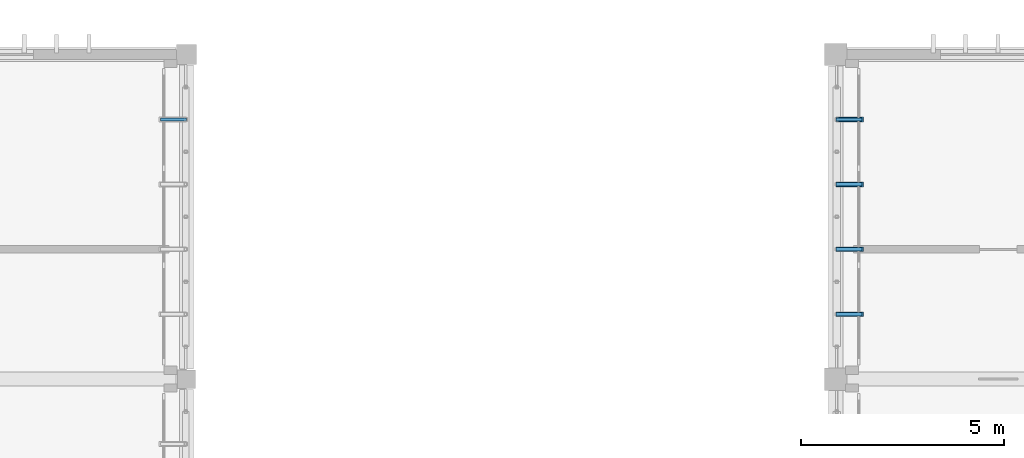
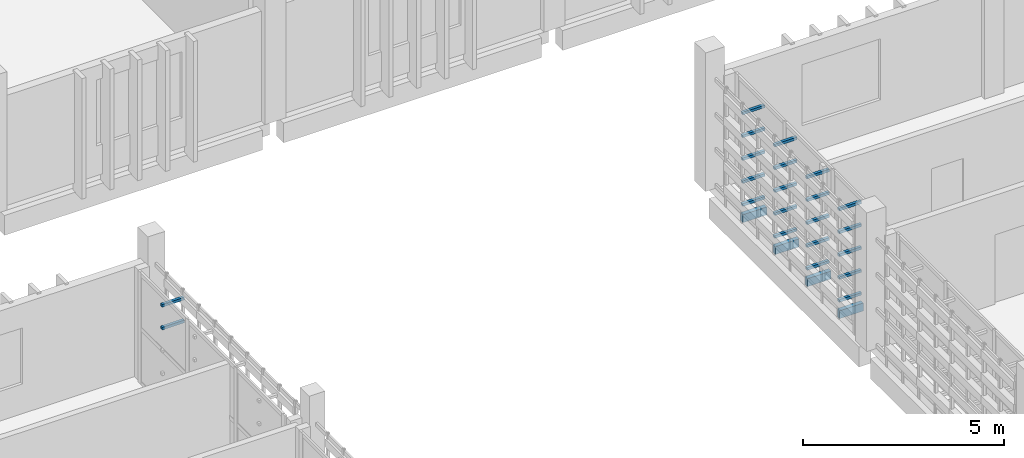
# One storey, part 42 of 48: 26 discrete accessories.
"""IFC4 building model written with IfcOpenShell, lengths in metres."""

from ifc_helpers import new_model, si_unit, direction, frame, origin, origin_2d, place, context, subcontext, project, spatial, rectangle, extrude, material, type_object, element, save


model = new_model("IFC4")

# Units and contexts
model_context = context("Model", 3, precision=1e-05, world=origin(), true_north=direction((0.0, 1.0)))
body_context = subcontext(model_context, "Body", "Model", "MODEL_VIEW")
ifc_project = project(units=[si_unit("LENGTHUNIT", "METRE"), si_unit("AREAUNIT", "SQUARE_METRE"), si_unit("VOLUMEUNIT", "CUBIC_METRE"), si_unit("PLANEANGLEUNIT", "RADIAN"), si_unit("MASSUNIT", "GRAM", prefix="KILO")], contexts=[model_context])

# Site, building, storey
site_placement = place(None, origin())
site = spatial("IfcSite", under=ifc_project, at=site_placement, CompositionType="ELEMENT")
building_placement = place(site_placement, origin())
building = spatial("IfcBuilding", under=site, at=building_placement, Name="Jelvoka-Kovrelna Polytechnic", CompositionType="ELEMENT")
storey_placement = place(building_placement, frame((0.0, 0.0, 22.199951171875)))
storey = spatial("IfcBuildingStorey", under=building, at=storey_placement, Name="L06", CompositionType="ELEMENT", Elevation=22.199951171875)

# Discrete accessories
ifc_material = material(Name="Structural steel S355JR", Category="steel")
discrete_accessory_type = type_object("IfcDiscreteAccessoryType", Name="Bracket_Outrigger_S355", PredefinedType="BRACKET", material=ifc_material)
for number, where, z_axis, x_axis, name in (
    (1, (111.679931640625, 46.39990234375, 2.357421875), (0.0, 0.0, 1.0), (1.0, 0.0, 0.0), "L06 screen outrigger tie bracket BRKM-PLT-SCR-0419"),
    (2, (111.679931640625, 46.39990234375, 3.050048828125), (0.0, 0.0, 1.0), (1.0, 0.0, 0.0), "L06 screen outrigger tie bracket BRKM-PLT-SCR-0420"),
    (3, (128.320068359375, 41.60009765625, 0.280029296875), (0.0, 0.0, 1.0), (1.0, 0.0, 0.0), "L06 screen outrigger tie bracket BRKM-PLT-SCR-0841"),
):
    element("IfcDiscreteAccessory", number, at=place(storey_placement, frame(where, z_axis=z_axis, x_axis=x_axis)), inside=storey, type_object=discrete_accessory_type, Name=name, PredefinedType="BRACKET", context=body_context, shape_type="SweptSolid", body=[
        extrude(rectangle(XDim=0.639892578125, YDim=0.080078125, at=origin_2d()), origin(), (0.0, 0.0, 1.0), 0.080078125),
    ])
discrete_accessory_1_placement = place(storey_placement, frame((128.340087890625, 41.60009765625, -0.199951171875), z_axis=(0.0, 0.0, 1.0), x_axis=(1.0, 0.0, 0.0)))
element("IfcDiscreteAccessory", 4, at=discrete_accessory_1_placement, inside=storey, type_object=discrete_accessory_type, Name="L06 screen outrigger tie bracket BRK-PLT-SCR-0841", PredefinedType="BRACKET", context=body_context, shape_type="SweptSolid", body=[
    extrude(rectangle(XDim=0.679931640625, YDim=0.1201171875, at=origin_2d()), origin(), (0.0, 0.0, 1.0), 0.239990234375),
])
for number, where, z_axis, x_axis, name in (
    (5, (128.320068359375, 41.60009765625, 0.972412109375), (0.0, 0.0, 1.0), (1.0, 0.0, 0.0), "L06 screen outrigger tie bracket BRKM-PLT-SCR-0842"),
    (6, (128.320068359375, 41.60009765625, 1.6650390625), (0.0, 0.0, 1.0), (1.0, 0.0, 0.0), "L06 screen outrigger tie bracket BRKM-PLT-SCR-0843"),
    (7, (128.320068359375, 41.60009765625, 2.357421875), (0.0, 0.0, 1.0), (1.0, 0.0, 0.0), "L06 screen outrigger tie bracket BRKM-PLT-SCR-0844"),
    (8, (128.320068359375, 41.60009765625, 3.050048828125), (0.0, 0.0, 1.0), (1.0, 0.0, 0.0), "L06 screen outrigger tie bracket BRKM-PLT-SCR-0845"),
    (9, (128.320068359375, 43.199951171875, 0.280029296875), (0.0, 0.0, 1.0), (1.0, 0.0, 0.0), "L06 screen outrigger tie bracket BRKM-PLT-SCR-0846"),
):
    element("IfcDiscreteAccessory", number, at=place(storey_placement, frame(where, z_axis=z_axis, x_axis=x_axis)), inside=storey, type_object=discrete_accessory_type, Name=name, PredefinedType="BRACKET", context=body_context, shape_type="SweptSolid", body=[
        extrude(rectangle(XDim=0.639892578125, YDim=0.080078125, at=origin_2d()), origin(), (0.0, 0.0, 1.0), 0.080078125),
    ])
discrete_accessory_2_placement = place(storey_placement, frame((128.340087890625, 43.199951171875, -0.199951171875), z_axis=(0.0, 0.0, 1.0), x_axis=(1.0, 0.0, 0.0)))
element("IfcDiscreteAccessory", 10, at=discrete_accessory_2_placement, inside=storey, type_object=discrete_accessory_type, Name="L06 screen outrigger tie bracket BRK-PLT-SCR-0846", PredefinedType="BRACKET", context=body_context, shape_type="SweptSolid", body=[
    extrude(rectangle(XDim=0.679931640625, YDim=0.1201171875, at=origin_2d()), origin(), (0.0, 0.0, 1.0), 0.239990234375),
])
for number, where, z_axis, x_axis, name in (
    (11, (128.320068359375, 43.199951171875, 0.972412109375), (0.0, 0.0, 1.0), (1.0, 0.0, 0.0), "L06 screen outrigger tie bracket BRKM-PLT-SCR-0847"),
    (12, (128.320068359375, 43.199951171875, 1.6650390625), (0.0, 0.0, 1.0), (1.0, 0.0, 0.0), "L06 screen outrigger tie bracket BRKM-PLT-SCR-0848"),
    (13, (128.320068359375, 43.199951171875, 2.357421875), (0.0, 0.0, 1.0), (1.0, 0.0, 0.0), "L06 screen outrigger tie bracket BRKM-PLT-SCR-0849"),
    (14, (128.320068359375, 43.199951171875, 3.050048828125), (0.0, 0.0, 1.0), (1.0, 0.0, 0.0), "L06 screen outrigger tie bracket BRKM-PLT-SCR-0850"),
    (15, (128.320068359375, 44.800048828125, 0.280029296875), (0.0, 0.0, 1.0), (1.0, 0.0, 0.0), "L06 screen outrigger tie bracket BRKM-PLT-SCR-0851"),
):
    element("IfcDiscreteAccessory", number, at=place(storey_placement, frame(where, z_axis=z_axis, x_axis=x_axis)), inside=storey, type_object=discrete_accessory_type, Name=name, PredefinedType="BRACKET", context=body_context, shape_type="SweptSolid", body=[
        extrude(rectangle(XDim=0.639892578125, YDim=0.080078125, at=origin_2d()), origin(), (0.0, 0.0, 1.0), 0.080078125),
    ])
discrete_accessory_3_placement = place(storey_placement, frame((128.340087890625, 44.800048828125, -0.199951171875), z_axis=(0.0, 0.0, 1.0), x_axis=(1.0, 0.0, 0.0)))
element("IfcDiscreteAccessory", 16, at=discrete_accessory_3_placement, inside=storey, type_object=discrete_accessory_type, Name="L06 screen outrigger tie bracket BRK-PLT-SCR-0851", PredefinedType="BRACKET", context=body_context, shape_type="SweptSolid", body=[
    extrude(rectangle(XDim=0.679931640625, YDim=0.1201171875, at=origin_2d()), origin(), (0.0, 0.0, 1.0), 0.239990234375),
])
for number, where, z_axis, x_axis, name in (
    (17, (128.320068359375, 44.800048828125, 0.972412109375), (0.0, 0.0, 1.0), (1.0, 0.0, 0.0), "L06 screen outrigger tie bracket BRKM-PLT-SCR-0852"),
    (18, (128.320068359375, 44.800048828125, 1.6650390625), (0.0, 0.0, 1.0), (1.0, 0.0, 0.0), "L06 screen outrigger tie bracket BRKM-PLT-SCR-0853"),
    (19, (128.320068359375, 44.800048828125, 2.357421875), (0.0, 0.0, 1.0), (1.0, 0.0, 0.0), "L06 screen outrigger tie bracket BRKM-PLT-SCR-0854"),
    (20, (128.320068359375, 44.800048828125, 3.050048828125), (0.0, 0.0, 1.0), (1.0, 0.0, 0.0), "L06 screen outrigger tie bracket BRKM-PLT-SCR-0855"),
    (21, (128.320068359375, 46.39990234375, 0.280029296875), (0.0, 0.0, 1.0), (1.0, 0.0, 0.0), "L06 screen outrigger tie bracket BRKM-PLT-SCR-0856"),
):
    element("IfcDiscreteAccessory", number, at=place(storey_placement, frame(where, z_axis=z_axis, x_axis=x_axis)), inside=storey, type_object=discrete_accessory_type, Name=name, PredefinedType="BRACKET", context=body_context, shape_type="SweptSolid", body=[
        extrude(rectangle(XDim=0.639892578125, YDim=0.080078125, at=origin_2d()), origin(), (0.0, 0.0, 1.0), 0.080078125),
    ])
discrete_accessory_4_placement = place(storey_placement, frame((128.340087890625, 46.39990234375, -0.199951171875), z_axis=(0.0, 0.0, 1.0), x_axis=(1.0, 0.0, 0.0)))
element("IfcDiscreteAccessory", 22, at=discrete_accessory_4_placement, inside=storey, type_object=discrete_accessory_type, Name="L06 screen outrigger tie bracket BRK-PLT-SCR-0856", PredefinedType="BRACKET", context=body_context, shape_type="SweptSolid", body=[
    extrude(rectangle(XDim=0.679931640625, YDim=0.1201171875, at=origin_2d()), origin(), (0.0, 0.0, 1.0), 0.239990234375),
])
for number, where, z_axis, x_axis, name in (
    (23, (128.320068359375, 46.39990234375, 0.972412109375), (0.0, 0.0, 1.0), (1.0, 0.0, 0.0), "L06 screen outrigger tie bracket BRKM-PLT-SCR-0857"),
    (24, (128.320068359375, 46.39990234375, 1.6650390625), (0.0, 0.0, 1.0), (1.0, 0.0, 0.0), "L06 screen outrigger tie bracket BRKM-PLT-SCR-0858"),
    (25, (128.320068359375, 46.39990234375, 2.357421875), (0.0, 0.0, 1.0), (1.0, 0.0, 0.0), "L06 screen outrigger tie bracket BRKM-PLT-SCR-0859"),
    (26, (128.320068359375, 46.39990234375, 3.050048828125), (0.0, 0.0, 1.0), (1.0, 0.0, 0.0), "L06 screen outrigger tie bracket BRKM-PLT-SCR-0860"),
):
    element("IfcDiscreteAccessory", number, at=place(storey_placement, frame(where, z_axis=z_axis, x_axis=x_axis)), inside=storey, type_object=discrete_accessory_type, Name=name, PredefinedType="BRACKET", context=body_context, shape_type="SweptSolid", body=[
        extrude(rectangle(XDim=0.639892578125, YDim=0.080078125, at=origin_2d()), origin(), (0.0, 0.0, 1.0), 0.080078125),
    ])

save(model, "model.ifc")
